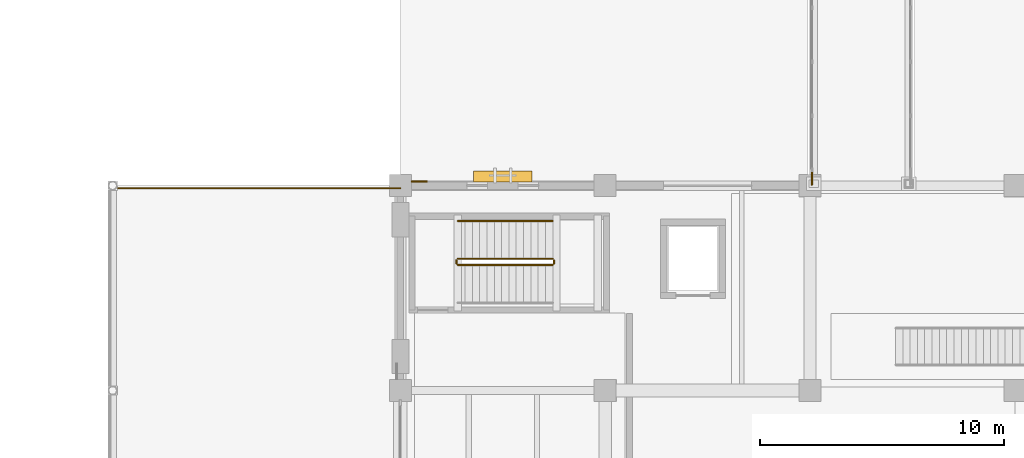
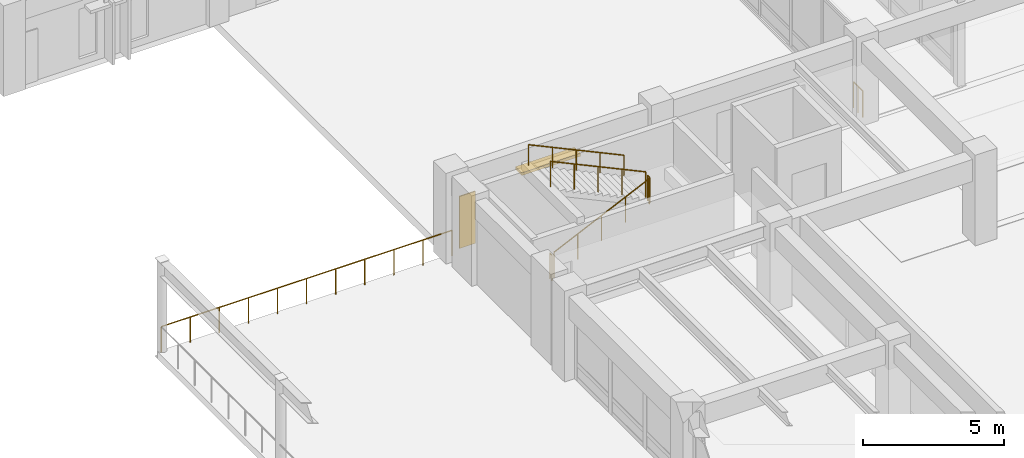
# One storey, part 113 of 135: 7 railings, 1 covering, 1 shading device.
"""IFC4 building model written with IfcOpenShell, lengths in metres."""

from ifc_helpers import new_model, si_unit, direction, frame, origin, origin_2d, place, context, subcontext, project, spatial, polyline, rectangle, circle, outline, extrude, material, layer, layer_set, type_object, element, save


model = new_model("IFC4")

# Units and contexts
model_context = context("Model", 3, precision=1e-05, world=origin(), true_north=direction((0.0, 1.0)))
body_context = subcontext(model_context, "Body", "Model", "MODEL_VIEW")
ifc_project = project(units=[si_unit("LENGTHUNIT", "METRE"), si_unit("AREAUNIT", "SQUARE_METRE"), si_unit("VOLUMEUNIT", "CUBIC_METRE"), si_unit("PLANEANGLEUNIT", "RADIAN"), si_unit("MASSUNIT", "GRAM", prefix="KILO")], contexts=[model_context])

# Site, building, storey
site_placement = place(None, origin())
site = spatial("IfcSite", under=ifc_project, at=site_placement, CompositionType="ELEMENT")
building_placement = place(site_placement, origin())
building = spatial("IfcBuilding", under=site, at=building_placement, Name="Cumbredor Promenade Congress Hotel", CompositionType="ELEMENT")
storey_placement = place(building_placement, origin())
storey = spatial("IfcBuildingStorey", under=building, at=storey_placement, Name="L00", CompositionType="ELEMENT", Elevation=0.0)

# Covering
ifc_material_1 = material(Name="Precast concrete C40/50", Category="concrete")
ifc_layer = layer(ifc_material_1, 0.044921875, Name="Precast concrete C40/50", Category="concrete")
ifc_layer_set = layer_set([ifc_layer], Name="Precast concrete C40/50")
covering_type = type_object("IfcCoveringType", Name="Board-Formed Architectural Cladding Panel 45mm", PredefinedType="CLADDING", material=ifc_layer_set)
covering_placement = place(storey_placement, origin())
element("IfcCovering", 1, at=covering_placement, inside=storey, type_object=covering_type, Name="L00 Facade Stone Cladding Pier 004", PredefinedType="CLADDING", context=body_context, shape_type="SweptSolid", body=[
    extrude(outline(polyline([(8.85107421875, 67.35009765625), (9.5009765625, 67.35009765625), (9.5009765625, 67.39501953125), (8.85107421875, 67.39501953125), (8.85107421875, 67.35009765625)])), origin(), (0.0, 0.0, 1.0), 2.25),
])

# Shading device
ifc_material_2 = material(Name="Thermally broken anodized aluminium", Category="aluminium")
shading_device_type = type_object("IfcShadingDeviceType", Name="Horizontal Bronze Jalousie Louvre JAL-01", PredefinedType="JALOUSIE", material=ifc_material_2)
shading_device_placement = place(storey_placement, frame((12.60009765625, 67.574951171875, 2.260009765625), z_axis=(0.0, 0.0, 1.0), x_axis=(1.0, 0.0, 0.0)))
element("IfcShadingDevice", 2, at=shading_device_placement, inside=storey, type_object=shading_device_type, Name="L00 Horizontal Bronze Jalousie 004", PredefinedType="JALOUSIE", context=body_context, shape_type="SweptSolid", body=[
    extrude(rectangle(XDim=2.39990234375, YDim=0.449951171875, at=origin_2d()), origin(), (0.0, 0.0, 1.0), 0.1201171875),
])

# Railings
ifc_material_3 = material(Name="Brushed stainless steel", Category="steel")
railing_type_1 = type_object("IfcRailingType", Name="Interior Void & Stair Guardrail GR-1100", PredefinedType="GUARDRAIL", material=ifc_material_3)
railing_1_placement = place(storey_placement, frame((10.75, 63.949951171875, 0.139892578125)))
element("IfcRailing", 3, at=railing_1_placement, inside=storey, type_object=railing_type_1, Name="L00 ST-06 stair guard 1", PredefinedType="GUARDRAIL", context=body_context, shape_type="SweptSolid", body=[
    extrude(circle(Radius=0.02392578125, at=origin_2d()), frame((0.0, 0.0, 1.09619140625), z_axis=(0.906172994947, 0.0, 0.42290720404), x_axis=(0.0, 1.0, 0.0)), (0.0, 0.0, 1.0), 4.3037109375),
    extrude(circle(Radius=0.02099609375, at=origin_2d()), origin(), (0.0, 0.0, 1.0), 1.072021484375),
    extrude(circle(Radius=0.02099609375, at=origin_2d()), frame((0.97509765625, 0.0, 0.455078125)), (0.0, 0.0, 1.0), 1.072021484375),
    extrude(circle(Radius=0.02099609375, at=origin_2d()), frame((1.949951171875, 0.0, 0.91015625)), (0.0, 0.0, 1.0), 1.072021484375),
    extrude(circle(Radius=0.02099609375, at=origin_2d()), frame((2.9248046875, 0.0, 1.364990234375)), (0.0, 0.0, 1.0), 1.072021484375),
    extrude(circle(Radius=0.02099609375, at=origin_2d()), frame((3.89990234375, 0.0, 1.820068359375)), (0.0, 0.0, 1.0), 1.072021484375),
])
railing_2_placement = place(storey_placement, frame((14.699951171875, 64.0, 1.9599609375)))
element("IfcRailing", 4, at=railing_2_placement, inside=storey, type_object=railing_type_1, Name="L00 ST-06 stair guard 2", PredefinedType="GUARDRAIL", context=body_context, shape_type="SweptSolid", body=[
    extrude(circle(Radius=0.02392578125, at=origin_2d()), frame((0.0, 0.0, 1.09619140625), z_axis=(0.0, 1.0, 0.0), x_axis=(-1.0, 0.0, 0.0)), (0.0, 0.0, 1.0), 0.14990234375),
    extrude(circle(Radius=0.02099609375, at=origin_2d()), origin(), (0.0, 0.0, 1.0), 1.072021484375),
    extrude(circle(Radius=0.02099609375, at=origin_2d()), frame((0.0, 0.14990234375, 0.0)), (0.0, 0.0, 1.0), 1.072021484375),
])
railing_3_placement = place(storey_placement, frame((14.64990234375, 64.199951171875, 2.10009765625)))
element("IfcRailing", 5, at=railing_3_placement, inside=storey, type_object=railing_type_1, Name="L00 ST-06 stair guard 3", PredefinedType="GUARDRAIL", context=body_context, shape_type="SweptSolid", body=[
    extrude(circle(Radius=0.02392578125, at=origin_2d()), frame((0.0, 0.0, 1.09619140625), z_axis=(-0.906194733976, 0.0, 0.422860620199), x_axis=(0.0, -1.0, 0.0)), (0.0, 0.0, 1.0), 4.3037109375),
    extrude(circle(Radius=0.02099609375, at=origin_2d()), origin(), (0.0, 0.0, 1.0), 1.072021484375),
    extrude(circle(Radius=0.02099609375, at=origin_2d()), frame((-0.97509765625, 0.0, 0.455078125)), (0.0, 0.0, 1.0), 1.072021484375),
    extrude(circle(Radius=0.02099609375, at=origin_2d()), frame((-1.949951171875, 0.0, 0.909912109375)), (0.0, 0.0, 1.0), 1.072021484375),
    extrude(circle(Radius=0.02099609375, at=origin_2d()), frame((-2.9248046875, 0.0, 1.36474609375)), (0.0, 0.0, 1.0), 1.072021484375),
    extrude(circle(Radius=0.02099609375, at=origin_2d()), frame((-3.89990234375, 0.0, 1.81982421875)), (0.0, 0.0, 1.0), 1.072021484375),
])
railing_4_placement = place(storey_placement, frame((10.699951171875, 64.0, 0.0)))
element("IfcRailing", 6, at=railing_4_placement, inside=storey, type_object=railing_type_1, Name="L00 ST-06 stair guard 4", PredefinedType="GUARDRAIL", context=body_context, shape_type="SweptSolid", body=[
    extrude(circle(Radius=0.02392578125, at=origin_2d()), frame((0.0, 0.0, 1.09619140625), z_axis=(0.0, 1.0, 0.0), x_axis=(-1.0, 0.0, 0.0)), (0.0, 0.0, 1.0), 0.14990234375),
    extrude(circle(Radius=0.02099609375, at=origin_2d()), origin(), (0.0, 0.0, 1.0), 1.072021484375),
    extrude(circle(Radius=0.02099609375, at=origin_2d()), frame((0.0, 0.14990234375, 0.0)), (0.0, 0.0, 1.0), 1.072021484375),
])
railing_type_2 = type_object("IfcRailingType", Name="Sky Garden Glass-and-Steel Balustrade BAL-1150", PredefinedType="BALUSTRADE", material=ifc_material_3)
railing_5_placement = place(storey_placement, frame((25.280029296875, 67.22998046875, 0.0)))
element("IfcRailing", 7, at=railing_5_placement, inside=storey, type_object=railing_type_2, Name="L00 West Congress-to-Hotel Glazed Bridge End Guardrail SW", PredefinedType="BALUSTRADE", context=body_context, shape_type="SweptSolid", body=[
    extrude(circle(Radius=0.02392578125, at=origin_2d()), frame((0.0, 0.0, 1.1259765625), z_axis=(0.0, 1.0, 0.0), x_axis=(-1.0, 0.0, 0.0)), (0.0, 0.0, 1.0), 0.669921875),
    extrude(circle(Radius=0.02099609375, at=origin_2d()), origin(), (0.0, 0.0, 1.0), 1.101806640625),
    extrude(circle(Radius=0.02099609375, at=origin_2d()), frame((0.0, 0.3349609375, 0.0)), (0.0, 0.0, 1.0), 1.101806640625),
    extrude(circle(Radius=0.02099609375, at=origin_2d()), frame((0.0, 0.669921875, 0.0)), (0.0, 0.0, 1.0), 1.101806640625),
])
railing_type_3 = type_object("IfcRailingType", Name="Stair Pitch Handrail HR-900", PredefinedType="HANDRAIL", material=ifc_material_3)
railing_6_placement = place(storey_placement, frame((14.64990234375, 65.75, 2.10009765625)))
element("IfcRailing", 8, at=railing_6_placement, inside=storey, type_object=railing_type_3, Name="L00 ST-06 stair handrail 2", PredefinedType="HANDRAIL", context=body_context, shape_type="SweptSolid", body=[
    extrude(circle(Radius=0.02392578125, at=origin_2d()), frame((0.0, 0.0, 0.8759765625), z_axis=(-0.906194733976, 0.0, 0.422860620199), x_axis=(0.0, -1.0, 0.0)), (0.0, 0.0, 1.0), 4.3037109375),
    extrude(circle(Radius=0.02099609375, at=origin_2d()), origin(), (0.0, 0.0, 1.0), 0.851806640625),
    extrude(circle(Radius=0.02099609375, at=origin_2d()), frame((-0.97509765625, 0.0, 0.455078125)), (0.0, 0.0, 1.0), 0.851806640625),
    extrude(circle(Radius=0.02099609375, at=origin_2d()), frame((-1.949951171875, 0.0, 0.909912109375)), (0.0, 0.0, 1.0), 0.851806640625),
    extrude(circle(Radius=0.02099609375, at=origin_2d()), frame((-2.9248046875, 0.0, 1.36474609375)), (0.0, 0.0, 1.0), 0.851806640625),
    extrude(circle(Radius=0.02099609375, at=origin_2d()), frame((-3.89990234375, 0.0, 1.81982421875)), (0.0, 0.0, 1.0), 0.851806640625),
])
railing_type_4 = type_object("IfcRailingType", Name="Terrace Perimeter Balustrade BAL-1120", PredefinedType="BALUSTRADE", material=ifc_material_3)
railing_7_placement = place(storey_placement, frame((-3.5, 67.10009765625, 0.0)))
element("IfcRailing", 9, at=railing_7_placement, inside=storey, type_object=railing_type_4, Name="L00 Promenade Terrace Balustrade 04", PredefinedType="BALUSTRADE", context=body_context, shape_type="SweptSolid", body=[
    extrude(circle(Radius=0.02392578125, at=origin_2d()), frame((0.0, 0.0, 1.09619140625), z_axis=(1.0, 0.0, 0.0), x_axis=(0.0, 1.0, 0.0)), (0.0, 0.0, 1.0), 11.89990234375),
    extrude(circle(Radius=0.02099609375, at=origin_2d()), origin(), (0.0, 0.0, 1.0), 1.072021484375),
    extrude(circle(Radius=0.02099609375, at=origin_2d()), frame((1.18994140625, 0.0, 0.0)), (0.0, 0.0, 1.0), 1.072021484375),
    extrude(circle(Radius=0.02099609375, at=origin_2d()), frame((2.3798828125, 0.0, 0.0)), (0.0, 0.0, 1.0), 1.072021484375),
    extrude(circle(Radius=0.02099609375, at=origin_2d()), frame((3.570068359375, 0.0, 0.0)), (0.0, 0.0, 1.0), 1.072021484375),
    extrude(circle(Radius=0.02099609375, at=origin_2d()), frame((4.760009765625, 0.0, 0.0)), (0.0, 0.0, 1.0), 1.072021484375),
    extrude(circle(Radius=0.02099609375, at=origin_2d()), frame((5.949951171875, 0.0, 0.0)), (0.0, 0.0, 1.0), 1.072021484375),
    extrude(circle(Radius=0.02099609375, at=origin_2d()), frame((7.139892578125, 0.0, 0.0)), (0.0, 0.0, 1.0), 1.072021484375),
    extrude(circle(Radius=0.02099609375, at=origin_2d()), frame((8.329833984375, 0.0, 0.0)), (0.0, 0.0, 1.0), 1.072021484375),
    extrude(circle(Radius=0.02099609375, at=origin_2d()), frame((9.52001953125, 0.0, 0.0)), (0.0, 0.0, 1.0), 1.072021484375),
    extrude(circle(Radius=0.02099609375, at=origin_2d()), frame((10.7099609375, 0.0, 0.0)), (0.0, 0.0, 1.0), 1.072021484375),
    extrude(circle(Radius=0.02099609375, at=origin_2d()), frame((11.89990234375, 0.0, 0.0)), (0.0, 0.0, 1.0), 1.072021484375),
])

save(model, "model.ifc")
